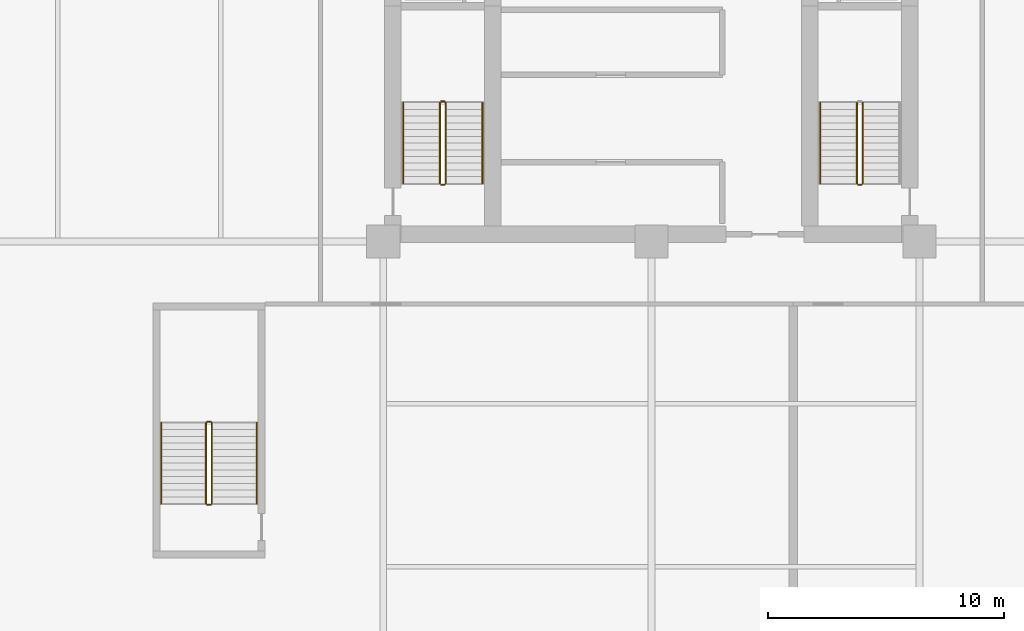
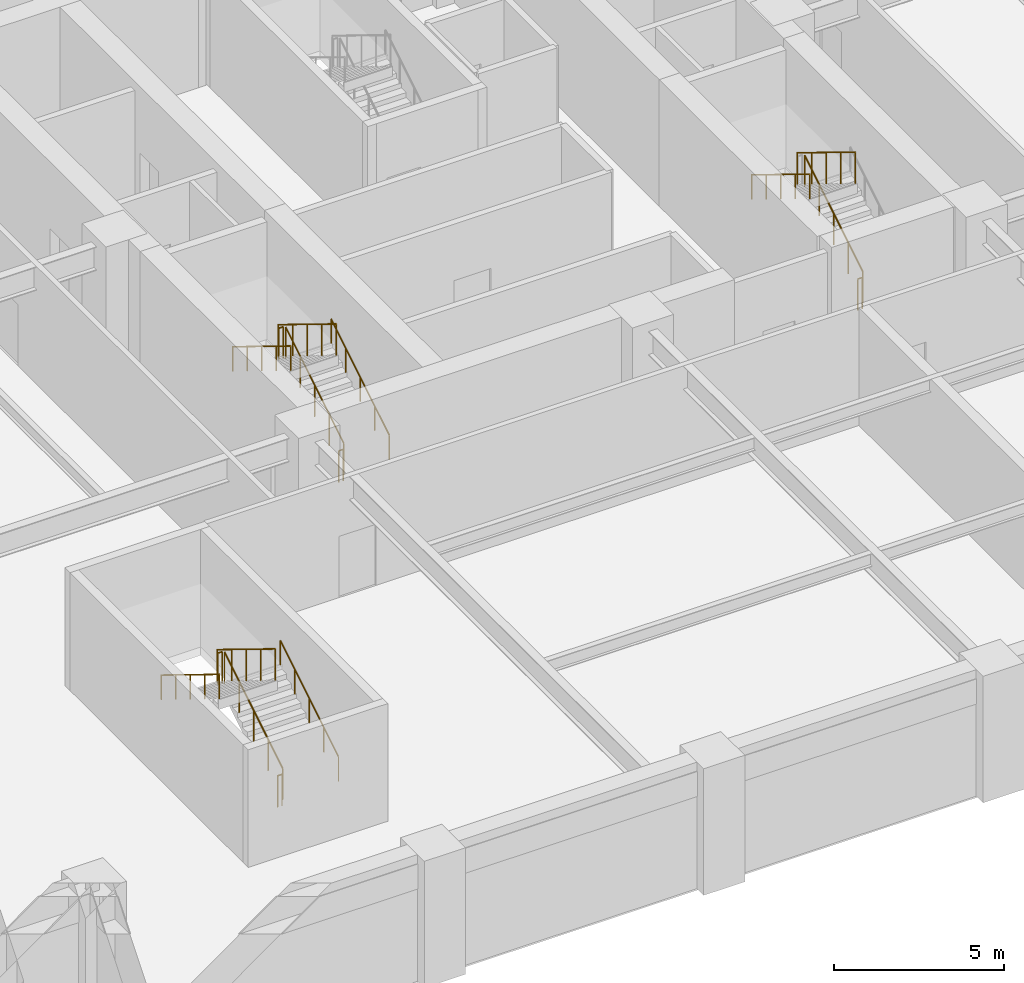
# One storey, part 5 of 6: 16 railings.
"""IFC4 building model written with IfcOpenShell, lengths in metres."""

from ifc_helpers import new_model, si_unit, direction, frame, origin, origin_2d, place, context, subcontext, project, spatial, circle, extrude, material, type_object, element, save


model = new_model("IFC4")

# Units and contexts
model_context = context("Model", 3, precision=1e-05, world=origin(), true_north=direction((0.0, 1.0)))
body_context = subcontext(model_context, "Body", "Model", "MODEL_VIEW")
ifc_project = project(units=[si_unit("LENGTHUNIT", "METRE"), si_unit("AREAUNIT", "SQUARE_METRE"), si_unit("VOLUMEUNIT", "CUBIC_METRE"), si_unit("PLANEANGLEUNIT", "RADIAN"), si_unit("MASSUNIT", "GRAM", prefix="KILO")], contexts=[model_context])

# Site, building, storey
site_placement = place(None, origin())
site = spatial("IfcSite", under=ifc_project, at=site_placement, CompositionType="ELEMENT")
building_placement = place(site_placement, origin())
building = spatial("IfcBuilding", under=site, at=building_placement, Name="Nhamokura Convention Tower", CompositionType="ELEMENT")
storey_placement = place(building_placement, frame((0.0, 0.0, -4.550048828125)))
storey = spatial("IfcBuildingStorey", under=building, at=storey_placement, Name="B01", CompositionType="ELEMENT", Elevation=-4.550048828125)

# Railings
ifc_material_1 = material(Name="Anodised bronze stainless steel", Category="steel")
railing_type_1 = type_object("IfcRailingType", Name="StairWallHandrail_900", PredefinedType="HANDRAIL", material=ifc_material_1)
railing_1_placement = place(storey_placement, frame((24.85009765625, 23.10009765625, 0.175048828125)))
element("IfcRailing", 1, at=railing_1_placement, inside=storey, type_object=railing_type_1, Name="B01 ST-01 stair handrail 1", PredefinedType="HANDRAIL", context=body_context, shape_type="SweptSolid", body=[
    extrude(circle(Radius=0.02392578125, at=origin_2d()), frame((0.0, 0.0, 0.8759765625), z_axis=(0.0, 0.852155044755, 0.523289384279), x_axis=(-1.0, 0.0, 0.0)), (0.0, 0.0, 1.0), 4.01318359375),
    extrude(circle(Radius=0.02099609375, at=origin_2d()), origin(), (0.0, 0.0, 1.0), 0.851806640625),
    extrude(circle(Radius=0.02099609375, at=origin_2d()), frame((0.0, 0.85498046875, 0.52490234375)), (0.0, 0.0, 1.0), 0.851806640625),
    extrude(circle(Radius=0.02099609375, at=origin_2d()), frame((0.0, 1.7099609375, 1.050048828125)), (0.0, 0.0, 1.0), 0.851806640625),
    extrude(circle(Radius=0.02099609375, at=origin_2d()), frame((0.0, 2.56494140625, 1.5751953125)), (0.0, 0.0, 1.0), 0.851806640625),
    extrude(circle(Radius=0.02099609375, at=origin_2d()), frame((0.0, 3.419921875, 2.10009765625)), (0.0, 0.0, 1.0), 0.851806640625),
])
for number, where, name in (
    (2, (21.5, 26.52001953125, 2.449951171875), "B01 ST-01 stair handrail 2"),
    (3, (39.14990234375, 26.52001953125, 2.449951171875), "B01 ST-02 stair handrail 2"),
):
    element("IfcRailing", number, at=place(storey_placement, frame(where)), inside=storey, type_object=railing_type_1, Name=name, PredefinedType="HANDRAIL", context=body_context, shape_type="SweptSolid", body=[
        extrude(circle(Radius=0.02392578125, at=origin_2d()), frame((0.0, 0.0, 0.8759765625), z_axis=(0.0, -0.852155044755, 0.523289384279), x_axis=(1.0, 0.0, 0.0)), (0.0, 0.0, 1.0), 4.01318359375),
        extrude(circle(Radius=0.02099609375, at=origin_2d()), origin(), (0.0, 0.0, 1.0), 0.851806640625),
        extrude(circle(Radius=0.02099609375, at=origin_2d()), frame((0.0, -0.85498046875, 0.52490234375)), (0.0, 0.0, 1.0), 0.851806640625),
        extrude(circle(Radius=0.02099609375, at=origin_2d()), frame((0.0, -1.7099609375, 1.050048828125)), (0.0, 0.0, 1.0), 0.851806640625),
        extrude(circle(Radius=0.02099609375, at=origin_2d()), frame((0.0, -2.56494140625, 1.5751953125)), (0.0, 0.0, 1.0), 0.851806640625),
        extrude(circle(Radius=0.02099609375, at=origin_2d()), frame((0.0, -3.419921875, 2.10009765625)), (0.0, 0.0, 1.0), 0.851806640625),
    ])
railing_2_placement = place(storey_placement, frame((15.300048828125, 9.550048828125, 0.175048828125)))
element("IfcRailing", 4, at=railing_2_placement, inside=storey, type_object=railing_type_1, Name="B01 ST-04 stair handrail 1", PredefinedType="HANDRAIL", context=body_context, shape_type="SweptSolid", body=[
    extrude(circle(Radius=0.02392578125, at=origin_2d()), frame((0.0, 0.0, 0.8759765625), z_axis=(0.0, 0.852155044755, 0.523289384279), x_axis=(-1.0, 0.0, 0.0)), (0.0, 0.0, 1.0), 4.01318359375),
    extrude(circle(Radius=0.02099609375, at=origin_2d()), origin(), (0.0, 0.0, 1.0), 0.851806640625),
    extrude(circle(Radius=0.02099609375, at=origin_2d()), frame((0.0, 0.85498046875, 0.52490234375)), (0.0, 0.0, 1.0), 0.851806640625),
    extrude(circle(Radius=0.02099609375, at=origin_2d()), frame((0.0, 1.7099609375, 1.050048828125)), (0.0, 0.0, 1.0), 0.851806640625),
    extrude(circle(Radius=0.02099609375, at=origin_2d()), frame((0.0, 2.56494140625, 1.5751953125)), (0.0, 0.0, 1.0), 0.851806640625),
    extrude(circle(Radius=0.02099609375, at=origin_2d()), frame((0.0, 3.419921875, 2.10009765625)), (0.0, 0.0, 1.0), 0.851806640625),
])
railing_3_placement = place(storey_placement, frame((11.25, 12.969970703125, 2.449951171875)))
element("IfcRailing", 5, at=railing_3_placement, inside=storey, type_object=railing_type_1, Name="B01 ST-04 stair handrail 2", PredefinedType="HANDRAIL", context=body_context, shape_type="SweptSolid", body=[
    extrude(circle(Radius=0.02392578125, at=origin_2d()), frame((0.0, 0.0, 0.8759765625), z_axis=(0.0, -0.852155044755, 0.523289384279), x_axis=(1.0, 0.0, 0.0)), (0.0, 0.0, 1.0), 4.01318359375),
    extrude(circle(Radius=0.02099609375, at=origin_2d()), origin(), (0.0, 0.0, 1.0), 0.851806640625),
    extrude(circle(Radius=0.02099609375, at=origin_2d()), frame((0.0, -0.85498046875, 0.52490234375)), (0.0, 0.0, 1.0), 0.851806640625),
    extrude(circle(Radius=0.02099609375, at=origin_2d()), frame((0.0, -1.7099609375, 1.050048828125)), (0.0, 0.0, 1.0), 0.851806640625),
    extrude(circle(Radius=0.02099609375, at=origin_2d()), frame((0.0, -2.56494140625, 1.5751953125)), (0.0, 0.0, 1.0), 0.851806640625),
    extrude(circle(Radius=0.02099609375, at=origin_2d()), frame((0.0, -3.419921875, 2.10009765625)), (0.0, 0.0, 1.0), 0.851806640625),
])
ifc_material_2 = material(Name="Painted tubular steel", Category="steel")
railing_type_2 = type_object("IfcRailingType", Name="StairWellGuardrail_1150", PredefinedType="GUARDRAIL", material=ifc_material_2)
railing_4_placement = place(storey_placement, frame((23.300048828125, 23.10009765625, 0.175048828125)))
element("IfcRailing", 6, at=railing_4_placement, inside=storey, type_object=railing_type_2, Name="B01 ST-01 stair guard 1", PredefinedType="GUARDRAIL", context=body_context, shape_type="SweptSolid", body=[
    extrude(circle(Radius=0.02392578125, at=origin_2d()), frame((0.0, 0.0, 1.1259765625), z_axis=(0.0, 0.852155044755, 0.523289384279), x_axis=(-1.0, 0.0, 0.0)), (0.0, 0.0, 1.0), 4.01318359375),
    extrude(circle(Radius=0.02099609375, at=origin_2d()), origin(), (0.0, 0.0, 1.0), 1.101806640625),
    extrude(circle(Radius=0.02099609375, at=origin_2d()), frame((0.0, 0.85498046875, 0.52490234375)), (0.0, 0.0, 1.0), 1.101806640625),
    extrude(circle(Radius=0.02099609375, at=origin_2d()), frame((0.0, 1.7099609375, 1.050048828125)), (0.0, 0.0, 1.0), 1.101806640625),
    extrude(circle(Radius=0.02099609375, at=origin_2d()), frame((0.0, 2.56494140625, 1.5751953125)), (0.0, 0.0, 1.0), 1.101806640625),
    extrude(circle(Radius=0.02099609375, at=origin_2d()), frame((0.0, 3.419921875, 2.10009765625)), (0.0, 0.0, 1.0), 1.101806640625),
])
railing_5_placement = place(storey_placement, frame((23.25, 26.570068359375, 2.275146484375)))
element("IfcRailing", 7, at=railing_5_placement, inside=storey, type_object=railing_type_2, Name="B01 ST-01 stair guard 2", PredefinedType="GUARDRAIL", context=body_context, shape_type="SweptSolid", body=[
    extrude(circle(Radius=0.02392578125, at=origin_2d()), frame((0.0, 0.0, 1.1259765625), z_axis=(-1.0, 0.0, 0.0), x_axis=(0.0, -1.0, 0.0)), (0.0, 0.0, 1.0), 0.14990234375),
    extrude(circle(Radius=0.02099609375, at=origin_2d()), origin(), (0.0, 0.0, 1.0), 1.101806640625),
    extrude(circle(Radius=0.02099609375, at=origin_2d()), frame((-0.14990234375, 0.0, 0.0)), (0.0, 0.0, 1.0), 1.101806640625),
])
railing_6_placement = place(storey_placement, frame((23.050048828125, 26.52001953125, 2.449951171875)))
element("IfcRailing", 8, at=railing_6_placement, inside=storey, type_object=railing_type_2, Name="B01 ST-01 stair guard 3", PredefinedType="GUARDRAIL", context=body_context, shape_type="SweptSolid", body=[
    extrude(circle(Radius=0.02392578125, at=origin_2d()), frame((0.0, 0.0, 1.1259765625), z_axis=(0.0, -0.852155044755, 0.523289384279), x_axis=(1.0, 0.0, 0.0)), (0.0, 0.0, 1.0), 4.01318359375),
    extrude(circle(Radius=0.02099609375, at=origin_2d()), origin(), (0.0, 0.0, 1.0), 1.101806640625),
    extrude(circle(Radius=0.02099609375, at=origin_2d()), frame((0.0, -0.85498046875, 0.52490234375)), (0.0, 0.0, 1.0), 1.101806640625),
    extrude(circle(Radius=0.02099609375, at=origin_2d()), frame((0.0, -1.7099609375, 1.050048828125)), (0.0, 0.0, 1.0), 1.101806640625),
    extrude(circle(Radius=0.02099609375, at=origin_2d()), frame((0.0, -2.56494140625, 1.5751953125)), (0.0, 0.0, 1.0), 1.101806640625),
    extrude(circle(Radius=0.02099609375, at=origin_2d()), frame((0.0, -3.419921875, 2.10009765625)), (0.0, 0.0, 1.0), 1.101806640625),
])
railing_7_placement = place(storey_placement, frame((23.25, 23.050048828125, 0.0)))
element("IfcRailing", 9, at=railing_7_placement, inside=storey, type_object=railing_type_2, Name="B01 ST-01 stair guard 4", PredefinedType="GUARDRAIL", context=body_context, shape_type="SweptSolid", body=[
    extrude(circle(Radius=0.02392578125, at=origin_2d()), frame((0.0, 0.0, 1.1259765625), z_axis=(-1.0, 0.0, 0.0), x_axis=(0.0, -1.0, 0.0)), (0.0, 0.0, 1.0), 0.14990234375),
    extrude(circle(Radius=0.02099609375, at=origin_2d()), origin(), (0.0, 0.0, 1.0), 1.101806640625),
    extrude(circle(Radius=0.02099609375, at=origin_2d()), frame((-0.14990234375, 0.0, 0.0)), (0.0, 0.0, 1.0), 1.101806640625),
])
railing_8_placement = place(storey_placement, frame((40.949951171875, 23.10009765625, 0.175048828125)))
element("IfcRailing", 10, at=railing_8_placement, inside=storey, type_object=railing_type_2, Name="B01 ST-02 stair guard 1", PredefinedType="GUARDRAIL", context=body_context, shape_type="SweptSolid", body=[
    extrude(circle(Radius=0.02392578125, at=origin_2d()), frame((0.0, 0.0, 1.1259765625), z_axis=(0.0, 0.852155044755, 0.523289384279), x_axis=(-1.0, 0.0, 0.0)), (0.0, 0.0, 1.0), 4.01318359375),
    extrude(circle(Radius=0.02099609375, at=origin_2d()), origin(), (0.0, 0.0, 1.0), 1.101806640625),
    extrude(circle(Radius=0.02099609375, at=origin_2d()), frame((0.0, 0.85498046875, 0.52490234375)), (0.0, 0.0, 1.0), 1.101806640625),
    extrude(circle(Radius=0.02099609375, at=origin_2d()), frame((0.0, 1.7099609375, 1.050048828125)), (0.0, 0.0, 1.0), 1.101806640625),
    extrude(circle(Radius=0.02099609375, at=origin_2d()), frame((0.0, 2.56494140625, 1.5751953125)), (0.0, 0.0, 1.0), 1.101806640625),
    extrude(circle(Radius=0.02099609375, at=origin_2d()), frame((0.0, 3.419921875, 2.10009765625)), (0.0, 0.0, 1.0), 1.101806640625),
])
railing_9_placement = place(storey_placement, frame((40.699951171875, 26.52001953125, 2.449951171875)))
element("IfcRailing", 11, at=railing_9_placement, inside=storey, type_object=railing_type_2, Name="B01 ST-02 stair guard 3", PredefinedType="GUARDRAIL", context=body_context, shape_type="SweptSolid", body=[
    extrude(circle(Radius=0.02392578125, at=origin_2d()), frame((0.0, 0.0, 1.1259765625), z_axis=(0.0, -0.852155044755, 0.523289384279), x_axis=(1.0, 0.0, 0.0)), (0.0, 0.0, 1.0), 4.01318359375),
    extrude(circle(Radius=0.02099609375, at=origin_2d()), origin(), (0.0, 0.0, 1.0), 1.101806640625),
    extrude(circle(Radius=0.02099609375, at=origin_2d()), frame((0.0, -0.85498046875, 0.52490234375)), (0.0, 0.0, 1.0), 1.101806640625),
    extrude(circle(Radius=0.02099609375, at=origin_2d()), frame((0.0, -1.7099609375, 1.050048828125)), (0.0, 0.0, 1.0), 1.101806640625),
    extrude(circle(Radius=0.02099609375, at=origin_2d()), frame((0.0, -2.56494140625, 1.5751953125)), (0.0, 0.0, 1.0), 1.101806640625),
    extrude(circle(Radius=0.02099609375, at=origin_2d()), frame((0.0, -3.419921875, 2.10009765625)), (0.0, 0.0, 1.0), 1.101806640625),
])
railing_10_placement = place(storey_placement, frame((40.89990234375, 23.050048828125, 0.0)))
element("IfcRailing", 12, at=railing_10_placement, inside=storey, type_object=railing_type_2, Name="B01 ST-02 stair guard 4", PredefinedType="GUARDRAIL", context=body_context, shape_type="SweptSolid", body=[
    extrude(circle(Radius=0.02392578125, at=origin_2d()), frame((0.0, 0.0, 1.1259765625), z_axis=(-1.0, 0.0, 0.0), x_axis=(0.0, -1.0, 0.0)), (0.0, 0.0, 1.0), 0.14990234375),
    extrude(circle(Radius=0.02099609375, at=origin_2d()), origin(), (0.0, 0.0, 1.0), 1.101806640625),
    extrude(circle(Radius=0.02099609375, at=origin_2d()), frame((-0.14990234375, 0.0, 0.0)), (0.0, 0.0, 1.0), 1.101806640625),
])
railing_11_placement = place(storey_placement, frame((13.39990234375, 9.550048828125, 0.175048828125)))
element("IfcRailing", 13, at=railing_11_placement, inside=storey, type_object=railing_type_2, Name="B01 ST-04 stair guard 1", PredefinedType="GUARDRAIL", context=body_context, shape_type="SweptSolid", body=[
    extrude(circle(Radius=0.02392578125, at=origin_2d()), frame((0.0, 0.0, 1.1259765625), z_axis=(0.0, 0.852155044755, 0.523289384279), x_axis=(-1.0, 0.0, 0.0)), (0.0, 0.0, 1.0), 4.01318359375),
    extrude(circle(Radius=0.02099609375, at=origin_2d()), origin(), (0.0, 0.0, 1.0), 1.101806640625),
    extrude(circle(Radius=0.02099609375, at=origin_2d()), frame((0.0, 0.85498046875, 0.52490234375)), (0.0, 0.0, 1.0), 1.101806640625),
    extrude(circle(Radius=0.02099609375, at=origin_2d()), frame((0.0, 1.7099609375, 1.050048828125)), (0.0, 0.0, 1.0), 1.101806640625),
    extrude(circle(Radius=0.02099609375, at=origin_2d()), frame((0.0, 2.56494140625, 1.5751953125)), (0.0, 0.0, 1.0), 1.101806640625),
    extrude(circle(Radius=0.02099609375, at=origin_2d()), frame((0.0, 3.419921875, 2.10009765625)), (0.0, 0.0, 1.0), 1.101806640625),
])
railing_12_placement = place(storey_placement, frame((13.35009765625, 13.02001953125, 2.275146484375)))
element("IfcRailing", 14, at=railing_12_placement, inside=storey, type_object=railing_type_2, Name="B01 ST-04 stair guard 2", PredefinedType="GUARDRAIL", context=body_context, shape_type="SweptSolid", body=[
    extrude(circle(Radius=0.02392578125, at=origin_2d()), frame((0.0, 0.0, 1.1259765625), z_axis=(-1.0, 0.0, 0.0), x_axis=(0.0, -1.0, 0.0)), (0.0, 0.0, 1.0), 0.150146484375),
    extrude(circle(Radius=0.02099609375, at=origin_2d()), origin(), (0.0, 0.0, 1.0), 1.101806640625),
    extrude(circle(Radius=0.02099609375, at=origin_2d()), frame((-0.150146484375, 0.0, 0.0)), (0.0, 0.0, 1.0), 1.101806640625),
])
railing_13_placement = place(storey_placement, frame((13.14990234375, 12.969970703125, 2.449951171875)))
element("IfcRailing", 15, at=railing_13_placement, inside=storey, type_object=railing_type_2, Name="B01 ST-04 stair guard 3", PredefinedType="GUARDRAIL", context=body_context, shape_type="SweptSolid", body=[
    extrude(circle(Radius=0.02392578125, at=origin_2d()), frame((0.0, 0.0, 1.1259765625), z_axis=(0.0, -0.852155044755, 0.523289384279), x_axis=(1.0, 0.0, 0.0)), (0.0, 0.0, 1.0), 4.01318359375),
    extrude(circle(Radius=0.02099609375, at=origin_2d()), origin(), (0.0, 0.0, 1.0), 1.101806640625),
    extrude(circle(Radius=0.02099609375, at=origin_2d()), frame((0.0, -0.85498046875, 0.52490234375)), (0.0, 0.0, 1.0), 1.101806640625),
    extrude(circle(Radius=0.02099609375, at=origin_2d()), frame((0.0, -1.7099609375, 1.050048828125)), (0.0, 0.0, 1.0), 1.101806640625),
    extrude(circle(Radius=0.02099609375, at=origin_2d()), frame((0.0, -2.56494140625, 1.5751953125)), (0.0, 0.0, 1.0), 1.101806640625),
    extrude(circle(Radius=0.02099609375, at=origin_2d()), frame((0.0, -3.419921875, 2.10009765625)), (0.0, 0.0, 1.0), 1.101806640625),
])
railing_14_placement = place(storey_placement, frame((13.35009765625, 9.5, 0.0)))
element("IfcRailing", 16, at=railing_14_placement, inside=storey, type_object=railing_type_2, Name="B01 ST-04 stair guard 4", PredefinedType="GUARDRAIL", context=body_context, shape_type="SweptSolid", body=[
    extrude(circle(Radius=0.02392578125, at=origin_2d()), frame((0.0, 0.0, 1.1259765625), z_axis=(-1.0, 0.0, 0.0), x_axis=(0.0, -1.0, 0.0)), (0.0, 0.0, 1.0), 0.150146484375),
    extrude(circle(Radius=0.02099609375, at=origin_2d()), origin(), (0.0, 0.0, 1.0), 1.101806640625),
    extrude(circle(Radius=0.02099609375, at=origin_2d()), frame((-0.150146484375, 0.0, 0.0)), (0.0, 0.0, 1.0), 1.101806640625),
])

save(model, "model.ifc")
